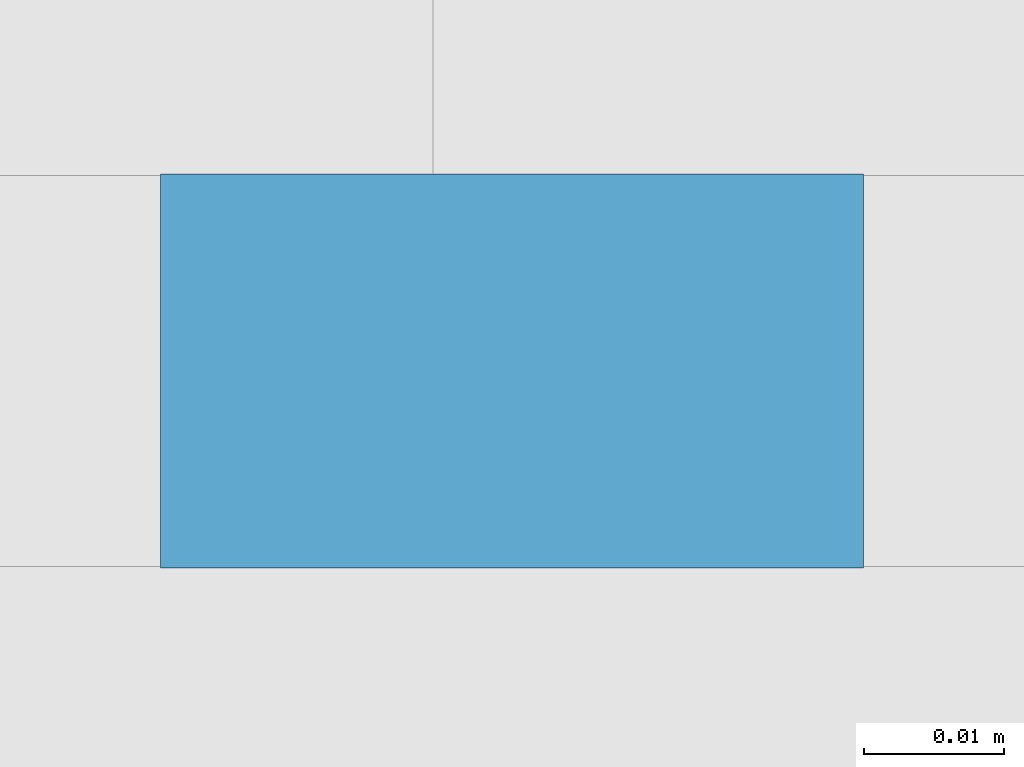
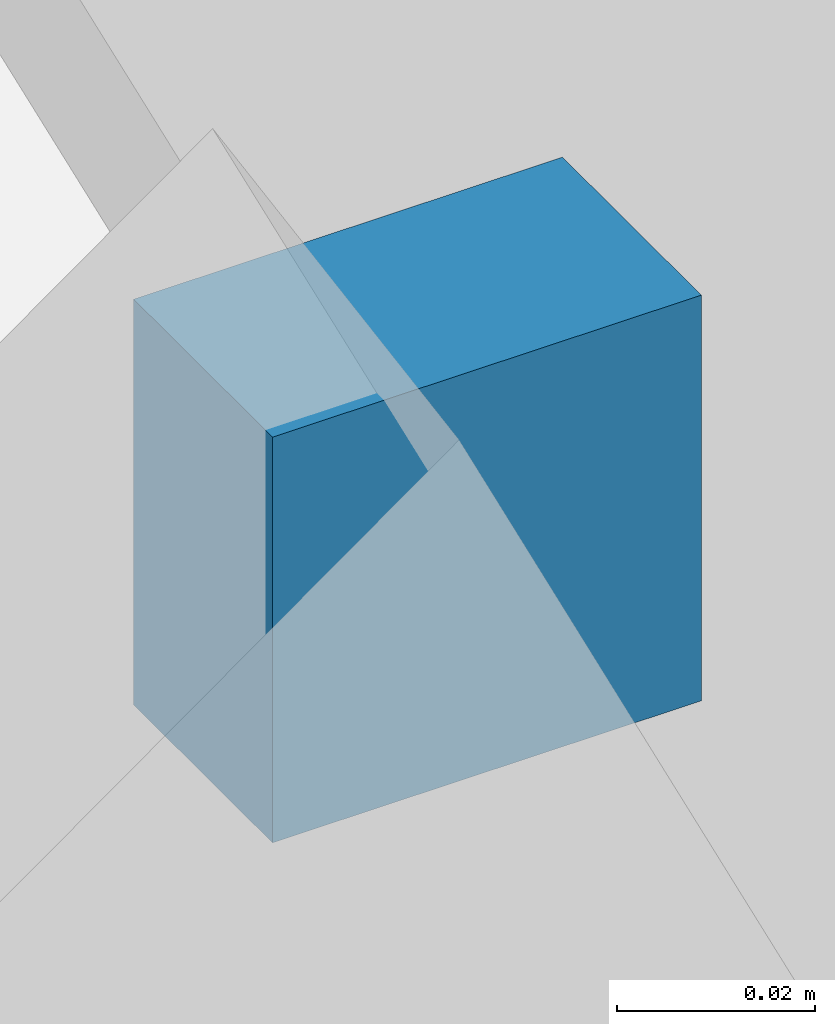
# One storey, part 12 of 18: 1 discrete accessory, 1 element without a shape of its own.
"""IFC4 building model written with IfcOpenShell, lengths in metres."""

from ifc_helpers import new_model, si_unit, direction, frame, origin, origin_2d, place, context, subcontext, project, spatial, rectangle, extrude, material, type_object, element, aggregate, save


model = new_model("IFC4")

# Units and contexts
model_context = context("Model", 3, precision=1e-05, world=origin(), true_north=direction((0.0, 1.0)))
body_context = subcontext(model_context, "Body", "Model", "MODEL_VIEW")
ifc_project = project(units=[si_unit("LENGTHUNIT", "METRE"), si_unit("AREAUNIT", "SQUARE_METRE"), si_unit("VOLUMEUNIT", "CUBIC_METRE"), si_unit("PLANEANGLEUNIT", "RADIAN"), si_unit("MASSUNIT", "GRAM", prefix="KILO")], contexts=[model_context])

# Site, building, storey
site_placement = place(None, origin())
site = spatial("IfcSite", under=ifc_project, at=site_placement, CompositionType="ELEMENT")
building_placement = place(site_placement, origin())
building = spatial("IfcBuilding", under=site, at=building_placement, Name="Tessera Arch", CompositionType="ELEMENT")
storey_placement = place(building_placement, frame((0.0, 0.0, 185.60009765625)))
storey = spatial("IfcBuildingStorey", under=building, at=storey_placement, Name="L44", CompositionType="ELEMENT", Elevation=185.60009765625)

# Curtain wall, discrete accessory
ifc_material = material(Name="CW3 curtain wall")
curtain_wall_type = type_object("IfcCurtainWallType", Name="CW3 curtain wall", PredefinedType="NOTDEFINED", material=ifc_material)
curtain_wall_placement = place(storey_placement, origin())
curtain_wall = element("IfcCurtainWall", 1, at=curtain_wall_placement, inside=storey, type_object=curtain_wall_type, Name="CW3 curtain wall S27.0/1 L44", PredefinedType="NOTDEFINED")
discrete_accessory_placement = place(storey_placement, frame((14.070068359375, 26.9560546875, 1.1455078125), z_axis=(0.0, 0.0, 1.0), x_axis=(1.0, 0.0, 0.0)))
discrete_accessory = element("IfcDiscreteAccessory", 2, at=discrete_accessory_placement, Name="Glazing bracket", PredefinedType="BRACKET", context=body_context, shape_type="SweptSolid", body=[
    extrude(rectangle(XDim=0.050048828125, YDim=0.028076171875, at=origin_2d()), origin(), (0.0, 0.0, 1.0), 0.050048828125),
])
aggregate(curtain_wall, [discrete_accessory])

save(model, "model.ifc")
